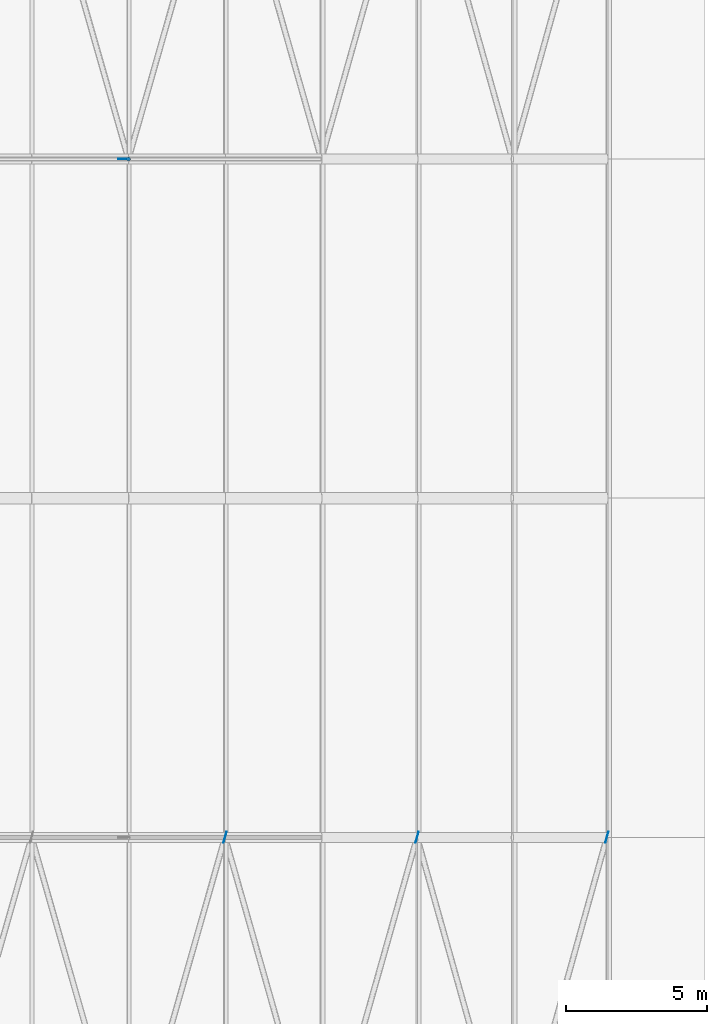
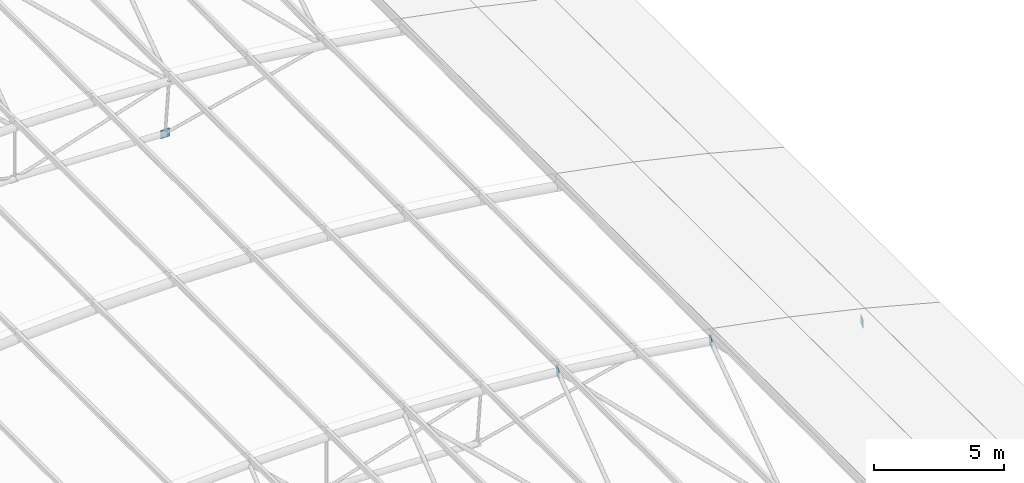
# One storey, part 67 of 91: 5 discrete accessories.
"""IFC4 building model written with IfcOpenShell, lengths in metres."""

from ifc_helpers import new_model, si_unit, direction, frame, origin, origin_2d, place, context, subcontext, project, spatial, rectangle, circle, extrude, material, material_profile, profile_set, type_object, element, save


model = new_model("IFC4")

# Units and contexts
model_context = context("Model", 3, precision=1e-05, world=origin(), true_north=direction((0.0, 1.0)))
body_context = subcontext(model_context, "Body", "Model", "MODEL_VIEW")
ifc_project = project(units=[si_unit("LENGTHUNIT", "METRE"), si_unit("AREAUNIT", "SQUARE_METRE"), si_unit("VOLUMEUNIT", "CUBIC_METRE"), si_unit("PLANEANGLEUNIT", "RADIAN"), si_unit("MASSUNIT", "GRAM", prefix="KILO")], contexts=[model_context])

# Site, building, storey
site_placement = place(None, origin())
site = spatial("IfcSite", under=ifc_project, at=site_placement, CompositionType="ELEMENT")
building_placement = place(site_placement, origin())
building = spatial("IfcBuilding", under=site, at=building_placement, Name="Ravi Spectrum Wholesale Market", CompositionType="ELEMENT")
storey_placement = place(building_placement, frame((0.0, 0.0, 16.199951171875)))
storey = spatial("IfcBuildingStorey", under=building, at=storey_placement, Name="ROOF PLANT LEVEL", CompositionType="ELEMENT", Elevation=16.199951171875)

# Discrete accessories
ifc_material_1 = material(Name="Steel S355", Category="steel")
ifc_material_profile_1 = material_profile(ifc_material_1, circle(Radius=0.06982421875, at=origin_2d()))
ifc_profile_set_1 = profile_set([ifc_material_profile_1], Name="Steel S355")
discrete_accessory_type_1 = type_object("IfcDiscreteAccessoryType", Name="End plate CHS 139.7x5", PredefinedType="BRACKET", material=ifc_profile_set_1)
discrete_accessory_placement = place(storey_placement, frame((76.857177734375, 66.0, 2.788818359375), z_axis=(0.081362009455, 0.0, 0.996684615823), x_axis=(0.0, 1.0, 0.0)))
element("IfcDiscreteAccessory", 1, at=discrete_accessory_placement, inside=storey, type_object=discrete_accessory_type_1, Name="End plate", PredefinedType="BRACKET", context=body_context, shape_type="SweptSolid", body=[
    extrude(circle(Radius=0.06982421875, at=origin_2d()), origin(), (0.0, 0.0, 1.0), 0.011962890625),
])
ifc_material_2 = material(Name="Steel S355", Category="steel")
ifc_material_profile_2 = material_profile(ifc_material_2, rectangle(XDim=0.39990234375, YDim=0.02001953125, at=origin_2d()))
ifc_profile_set_2 = profile_set([ifc_material_profile_2], Name="Steel S355")
discrete_accessory_type_2 = type_object("IfcDiscreteAccessoryType", Name="Gusset plate 400x400x20", PredefinedType="BRACKET", material=ifc_profile_set_2)
for number, where, z_axis, x_axis, name in (
    (2, (76.69189453125, 66.0, 0.194580078125), (0.0, 0.0, 1.0), (-1.0, 0.0, 0.0), "Gusset plate"),
    (3, (80.275634765625, 42.0, 2.293212890625), (0.0, 0.0, 1.0), (0.274099988531, 0.961701199067, 0.0), "Gusset plate"),
):
    element("IfcDiscreteAccessory", number, at=place(storey_placement, frame(where, z_axis=z_axis, x_axis=x_axis)), inside=storey, type_object=discrete_accessory_type_2, Name=name, PredefinedType="BRACKET", context=body_context, shape_type="SweptSolid", body=[
        extrude(rectangle(XDim=0.39990234375, YDim=0.02001953125, at=origin_2d()), origin(), (0.0, 0.0, 1.0), 0.39990234375),
    ])
for number, where, z_axis, x_axis, name in (
    (4, (87.07177734375, 42.0, 1.349365234375), (0.0, 0.0, 1.0), (0.272114179822, 0.962264970338, 0.0), "Gusset plate"),
    (5, (93.786865234375, 42.0, -0.060791015625), (0.0, 0.0, 1.0), (0.268923156276, 0.963161635458, 0.0), "Gusset plate"),
):
    element("IfcDiscreteAccessory", number, at=place(storey_placement, frame(where, z_axis=z_axis, x_axis=x_axis)), inside=storey, type_object=discrete_accessory_type_2, Name=name, PredefinedType="BRACKET", context=body_context, shape_type="SweptSolid", body=[
        extrude(rectangle(XDim=0.39990234375, YDim=0.02001953125, at=origin_2d()), origin(), (0.0, 0.0, 1.0), 0.400146484375),
    ])

save(model, "model.ifc")
